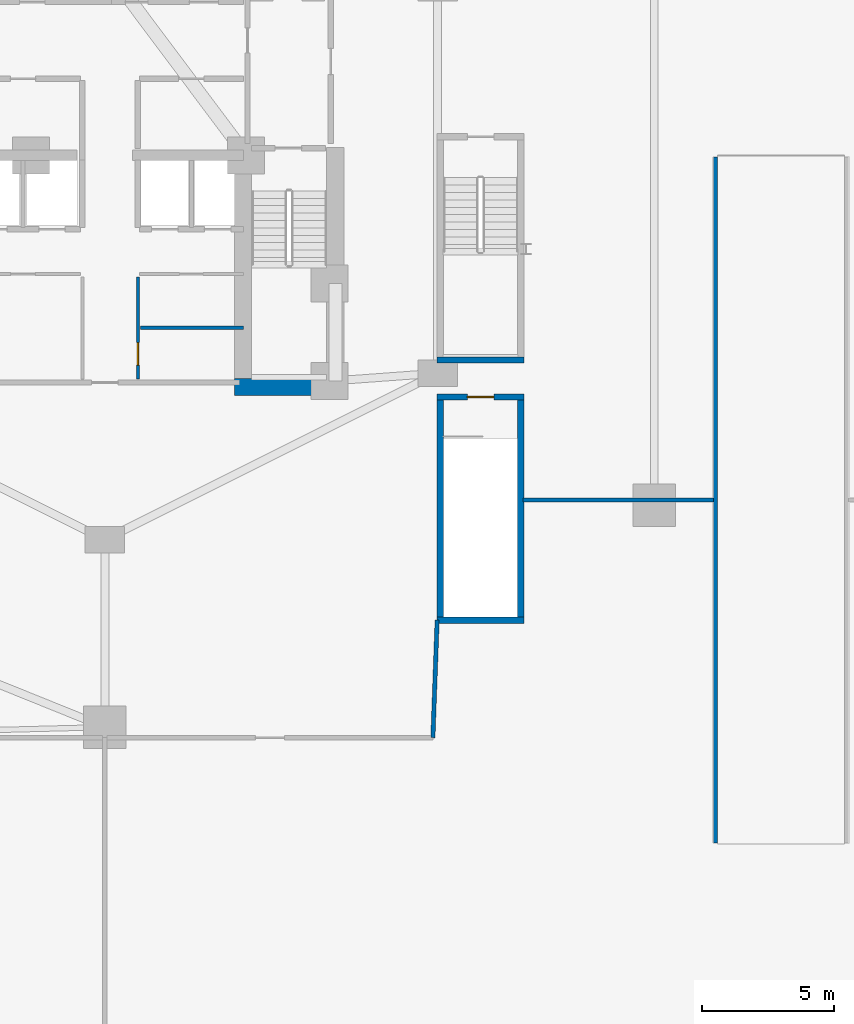
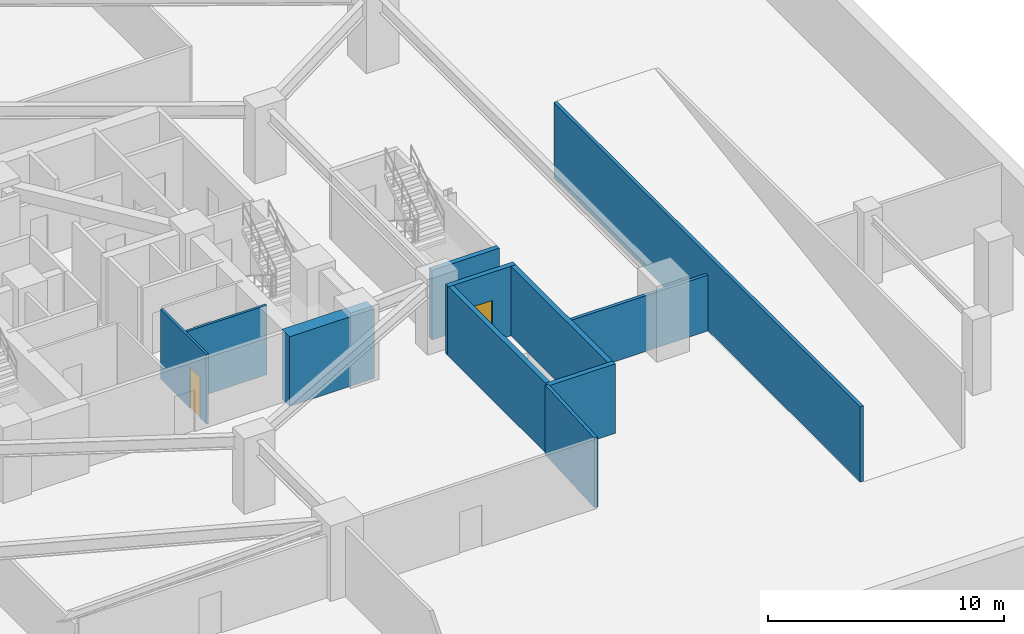
# One storey, part 6 of 10: 11 walls, 2 doors, 2 openings.
"""IFC4 building model written with IfcOpenShell, lengths in metres."""

from ifc_helpers import new_model, si_unit, direction, frame, frame_2d, origin, place, context, subcontext, project, spatial, rectangle, extrude, material, layer, layer_set, type_object, element, fill, save


model = new_model("IFC4")

# Units and contexts
model_context = context("Model", 3, precision=1e-05, world=origin(), true_north=direction((0.0, 1.0)))
body_context = subcontext(model_context, "Body", "Model", "MODEL_VIEW")
ifc_project = project(units=[si_unit("LENGTHUNIT", "METRE"), si_unit("AREAUNIT", "SQUARE_METRE"), si_unit("VOLUMEUNIT", "CUBIC_METRE"), si_unit("PLANEANGLEUNIT", "RADIAN"), si_unit("MASSUNIT", "GRAM", prefix="KILO")], contexts=[model_context])

# Site, building, storey
site_placement = place(None, origin())
site = spatial("IfcSite", under=ifc_project, at=site_placement, CompositionType="ELEMENT")
building_placement = place(site_placement, origin())
building = spatial("IfcBuilding", under=site, at=building_placement, Name="Miruveldt Soraemaru", CompositionType="ELEMENT")
storey_placement = place(building_placement, frame((0.0, 0.0, -3.89990234375)))
storey = spatial("IfcBuildingStorey", under=building, at=storey_placement, Name="B1", CompositionType="ELEMENT", Elevation=-3.89990234375)

# Wall
ifc_material_1 = material(Name="Concrete C50/60 (50 MPa)", Category="concrete")
ifc_layer_1 = layer(ifc_material_1, 0.419921875, Name="Concrete C50/60 (50 MPa)", Category="concrete")
ifc_layer_set_1 = layer_set([ifc_layer_1], Name="Concrete C50/60 (50 MPa)")
wall_type_1 = type_object("IfcWallType", Name="WALL-CW-420", PredefinedType="SHEAR", material=ifc_layer_set_1)
wall_1_placement = place(storey_placement, frame((67.1201171875, 18.02001953125, 0.0), z_axis=(0.0, 0.0, 1.0), x_axis=(0.0, 1.0, 0.0)))
element("IfcWall", 1, at=wall_1_placement, inside=storey, type_object=wall_type_1, Name="B1 Car Park Ramp Shaft Structural Side Wall W", PredefinedType="SHEAR", context=body_context, shape_type="SweptSolid", body=[
    extrude(rectangle(XDim=25.9599609375, YDim=0.159912109375, at=frame_2d((12.97998046875, 0.0))), origin(), (0.0, 0.0, 1.0), 3.89990234375),
])

# Wall, opening, door
wall_2_placement = place(storey_placement, frame((56.580078125, 34.89990234375, 0.0), z_axis=(0.0, 0.0, 1.0), x_axis=(1.0, 0.0, 0.0)))
wall_2 = element("IfcWall", 2, at=wall_2_placement, inside=storey, type_object=wall_type_1, Name="B1 Basement Service Stair ST-5 Structural Shaft Wall N", PredefinedType="SHEAR", context=body_context, shape_type="SweptSolid", body=[
    extrude(rectangle(XDim=3.2900390625, YDim=0.239990234375, at=frame_2d((1.64501953125, 0.0))), origin(), (0.0, 0.0, 1.0), 3.599853515625),
])
opening_1_placement = place(wall_2_placement, frame((1.14501953125, 0.0, 0.0)))
opening_1 = element("IfcOpeningElement", 3, at=opening_1_placement, cuts=wall_2, Name="Opening FD1", PredefinedType="OPENING", context=body_context, shape_type="SweptSolid", body=[
    extrude(rectangle(XDim=1.0, YDim=2.14990234375, at=frame_2d((0.5, 1.074951171875))), frame((0.0, 0.1298828125, 0.0), z_axis=(0.0, -1.0, 0.0), x_axis=(1.0, 0.0, 0.0)), (0.0, 0.0, 1.0), 0.260009765625),
])
ifc_material_2 = material(Name="Anodised aluminium EN AW-6063 T6", Category="aluminium")
door_type_1 = type_object("IfcDoorType", Name="DOOR-FD1-1000", OperationType="NOTDEFINED", PredefinedType="DOOR", material=ifc_material_2)
door_1_placement = place(opening_1_placement, frame((1.0, 0.0, 0.0), z_axis=(0.0, 0.0, 1.0), x_axis=(-1.0, 0.0, 0.0)))
door_1 = element("IfcDoor", 4, at=door_1_placement, inside=storey, type_object=door_type_1, Name="B1 Basement Service Stair ST-5 Fire Door", OperationType="SINGLE_SWING_LEFT", OverallHeight=2.14990234375, OverallWidth=1.0, PredefinedType="DOOR", context=body_context, shape_type="SweptSolid", body=[
    extrude(rectangle(XDim=1.0, YDim=2.14990234375, at=frame_2d((0.5, 1.074951171875))), frame((0.0, 0.02490234375, 0.0), z_axis=(0.0, -1.0, 0.0), x_axis=(1.0, 0.0, 0.0)), (0.0, 0.0, 1.0), 0.050048828125),
])
fill(opening_1, door_1)

# Walls
for number, where, z_axis, x_axis, name in (
    (5, (56.699951171875, 26.5, 0.0), (0.0, 0.0, 1.0), (0.0, 1.0, 0.0), "B1 Basement Service Stair ST-5 Structural Shaft Wall W"),
    (6, (59.75, 26.5, 0.0), (0.0, 0.0, 1.0), (0.0, 1.0, 0.0), "B1 Basement Service Stair ST-5 Structural Shaft Wall E"),
):
    element("IfcWall", number, at=place(storey_placement, frame(where, z_axis=z_axis, x_axis=x_axis)), inside=storey, type_object=wall_type_1, Name=name, PredefinedType="SHEAR", context=body_context, shape_type="SweptSolid", body=[
        extrude(rectangle(XDim=8.35009765625, YDim=0.239990234375, at=frame_2d((4.175048828125, 0.0))), origin(), (0.0, 0.0, 1.0), 3.599853515625),
    ])
for number, where, z_axis, x_axis, name in (
    (7, (56.580078125, 36.300048828125, 0.0), (0.0, 0.0, 1.0), (1.0, 0.0, 0.0), "B1 Podium Garden Feature Stair ST-4 Structural Shaft Wall S"),
    (8, (56.580078125, 26.449951171875, 0.0), (0.0, 0.0, 1.0), (1.0, 0.0, 0.0), "B1 Basement Service Stair ST-5 Structural Shaft Wall S"),
):
    element("IfcWall", number, at=place(storey_placement, frame(where, z_axis=z_axis, x_axis=x_axis)), inside=storey, type_object=wall_type_1, Name=name, PredefinedType="SHEAR", context=body_context, shape_type="SweptSolid", body=[
        extrude(rectangle(XDim=3.2900390625, YDim=0.239990234375, at=frame_2d((1.64501953125, 0.0))), origin(), (0.0, 0.0, 1.0), 3.599853515625),
    ])
ifc_material_3 = material(Name="Concrete C80/95 (80 MPa)", Category="concrete")
ifc_layer_2 = layer(ifc_material_3, 0.64990234375, Name="Concrete C80/95 (80 MPa)", Category="concrete")
ifc_layer_set_2 = layer_set([ifc_layer_2], Name="Concrete C80/95 (80 MPa)")
wall_type_2 = type_object("IfcWallType", Name="WALL-CW-650", PredefinedType="SHEAR", material=ifc_layer_set_2)
wall_3_placement = place(storey_placement, frame((48.89990234375, 35.27490234375, 0.0), z_axis=(0.0, 0.0, 1.0), x_axis=(1.0, 0.0, 0.0)))
element("IfcWall", 9, at=wall_3_placement, inside=storey, type_object=wall_type_2, Name="B1 Central Core Shear Wall S2", PredefinedType="SHEAR", context=body_context, shape_type="SweptSolid", body=[
    extrude(rectangle(XDim=4.150146484375, YDim=0.64990234375, at=frame_2d((2.0751953125, 0.0))), origin(), (0.0, 0.0, 1.0), 3.599853515625),
])

# Wall, opening, door
ifc_material_4 = material(Name="Gypsum plasterboard lining", Category="gypsum")
ifc_layer_3 = layer(ifc_material_4, 0.1201171875, Name="Gypsum plasterboard lining", Category="gypsum")
ifc_layer_set_3 = layer_set([ifc_layer_3], Name="Gypsum plasterboard lining")
wall_type_3 = type_object("IfcWallType", Name="WALL-INT-P120", PredefinedType="PARTITIONING", material=ifc_layer_set_3)
wall_4_placement = place(storey_placement, frame((45.25, 35.580078125, 0.0), z_axis=(0.0, 0.0, 1.0), x_axis=(0.0, 1.0, 0.0)))
wall_4 = element("IfcWall", 10, at=wall_4_placement, inside=storey, type_object=wall_type_3, Name="B1 Core Compartment Wall SP-ES", PredefinedType="PARTITIONING", context=body_context, shape_type="SweptSolid", body=[
    extrude(rectangle(XDim=3.869873046875, YDim=0.1201171875, at=frame_2d((1.93505859375, 0.0))), origin(), (0.0, 0.0, 1.0), 3.599853515625),
])
opening_2_placement = place(wall_4_placement, frame((0.52490234375, 0.0, 0.0)))
opening_2 = element("IfcOpeningElement", 11, at=opening_2_placement, cuts=wall_4, Name="Opening FD3", PredefinedType="OPENING", context=body_context, shape_type="SweptSolid", body=[
    extrude(rectangle(XDim=0.85009765625, YDim=2.10009765625, at=frame_2d((0.425048828125, 1.050048828125))), frame((0.0, 0.070068359375, 0.0), z_axis=(0.0, -1.0, 0.0), x_axis=(1.0, 0.0, 0.0)), (0.0, 0.0, 1.0), 0.14013671875),
])
door_type_2 = type_object("IfcDoorType", Name="DOOR-FD3-850", OperationType="NOTDEFINED", PredefinedType="DOOR", material=ifc_material_2)
door_2_placement = place(opening_2_placement, frame((0.85009765625, 0.0, 0.0), z_axis=(0.0, 0.0, 1.0), x_axis=(-1.0, 0.0, 0.0)))
door_2 = element("IfcDoor", 12, at=door_2_placement, inside=storey, type_object=door_type_2, Name="B1 Fire Door", OperationType="SINGLE_SWING_LEFT", OverallHeight=2.10009765625, OverallWidth=0.85009765625, PredefinedType="DOOR", context=body_context, shape_type="SweptSolid", body=[
    extrude(rectangle(XDim=0.85009765625, YDim=2.10009765625, at=frame_2d((0.425048828125, 1.050048828125))), frame((0.0, 0.02490234375, 0.0), z_axis=(0.0, -1.0, 0.0), x_axis=(1.0, 0.0, 0.0)), (0.0, 0.0, 1.0), 0.050048828125),
])
fill(opening_2, door_2)

# Walls
wall_5_placement = place(storey_placement, frame((45.35009765625, 37.52001953125, 0.0), z_axis=(0.0, 0.0, 1.0), x_axis=(1.0, 0.0, 0.0)))
element("IfcWall", 13, at=wall_5_placement, inside=storey, type_object=wall_type_3, Name="B1 Core Compartment Wall CE3-H", PredefinedType="PARTITIONING", context=body_context, shape_type="SweptSolid", body=[
    extrude(rectangle(XDim=3.89990234375, YDim=0.1201171875, at=frame_2d((1.949951171875, 0.0))), origin(), (0.0, 0.0, 1.0), 3.599853515625),
])
ifc_material_5 = material(Name="Concrete C40/50 (40 MPa)", Category="concrete")
ifc_layer_4 = layer(ifc_material_5, 0.159912109375, Name="Concrete C40/50 (40 MPa)", Category="concrete")
ifc_layer_set_4 = layer_set([ifc_layer_4], Name="Concrete C40/50 (40 MPa)")
wall_type_4 = type_object("IfcWallType", Name="WALL-INT-RC160", PredefinedType="SOLIDWALL", material=ifc_layer_set_4)
wall_6_placement = place(storey_placement, frame((67.0439453125, 31.0, 0.0), z_axis=(0.0, 0.0, 1.0), x_axis=(-1.0, 0.0, 0.0)))
element("IfcWall", 14, at=wall_6_placement, inside=storey, type_object=wall_type_4, Name="B1 Partition Wall 10", PredefinedType="SOLIDWALL", context=body_context, shape_type="SweptSolid", body=[
    extrude(rectangle(XDim=7.2138671875, YDim=0.159912109375, at=frame_2d((3.60693359375, 0.0))), origin(), (0.0, 0.0, 1.0), 2.887939453125),
])
wall_7_placement = place(storey_placement, frame((56.419921875, 22.0, 0.0), z_axis=(0.0, 0.0, 1.0), x_axis=(0.03596727641, 0.999352968189, 0.0)))
element("IfcWall", 15, at=wall_7_placement, inside=storey, type_object=wall_type_4, Name="B1 Partition Closure Return 1", PredefinedType="SOLIDWALL", context=body_context, shape_type="SweptSolid", body=[
    extrude(rectangle(XDim=4.452880859375, YDim=0.159912109375, at=frame_2d((2.2265625, 0.0))), origin(), (0.0, 0.0, 1.0), 3.599853515625),
])

save(model, "model.ifc")
